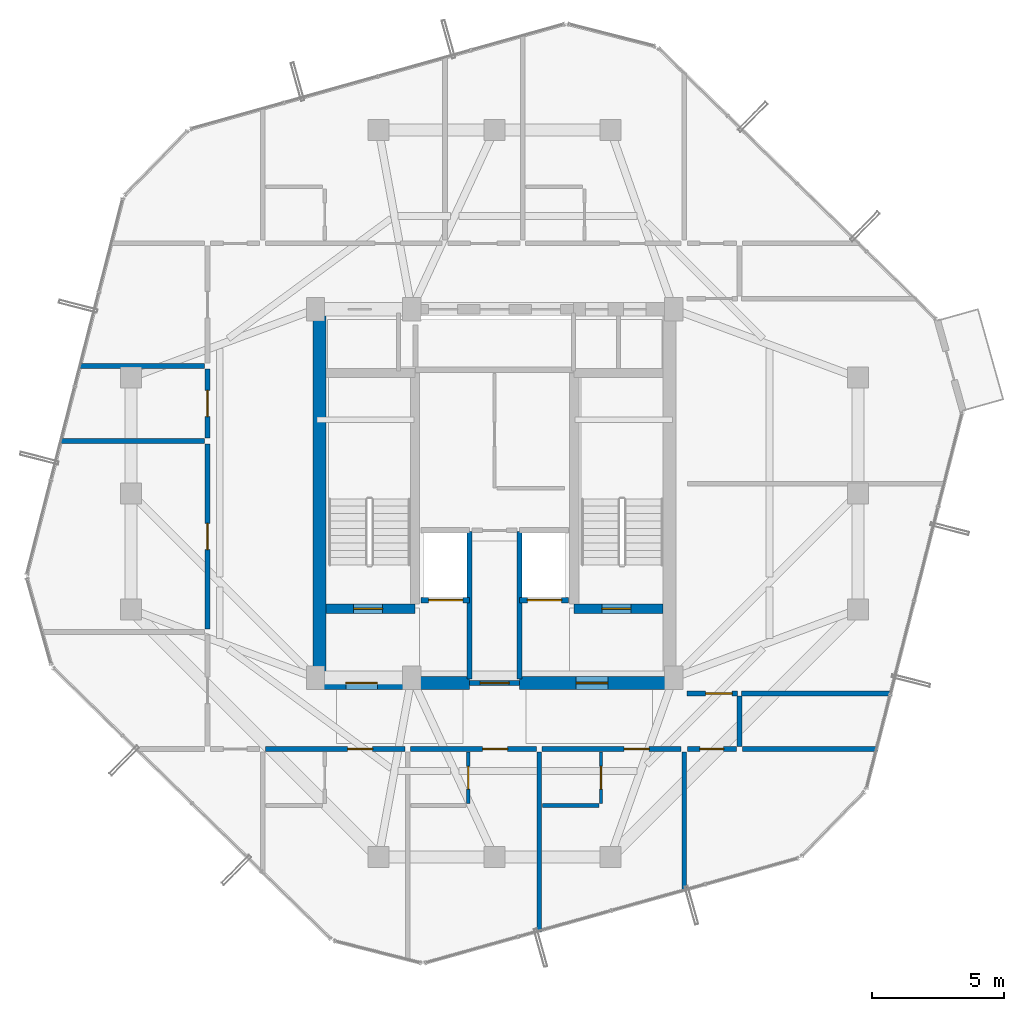
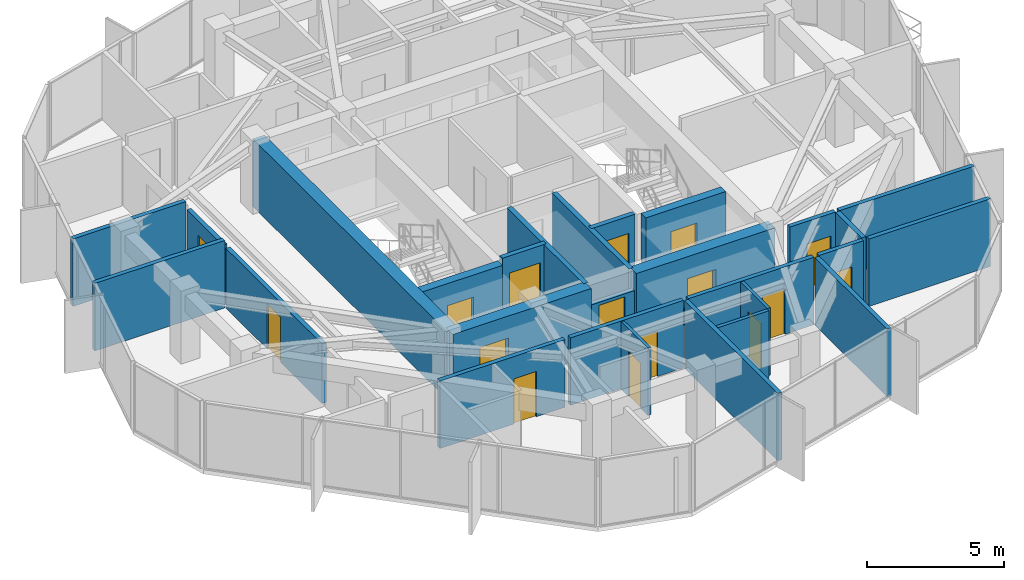
# One storey, part 25 of 29: 27 walls, 16 doors, 16 openings.
"""IFC4 building model written with IfcOpenShell, lengths in metres."""

import ifcopenshell
import ifcopenshell.guid

model = None  # the IFC model being written
_history = None  # IfcOwnerHistory: only IFC2X3 demands one
_inside = {}  # id of a spatial element -> (the spatial element, [elements in it])
_under = {}  # id of a project, library or spatial element -> (it, [spatial elements below it])
_declared = {}  # id of a project -> (the project, [libraries it declares])
_typed = {}  # id of a type object -> (the type object, [elements of that type])
_made_of = {}  # id of a material, layer set ... -> (it, [elements and type objects made of it])


def new_model(schema):
    """Start an empty IFC model of exactly this schema.

    Asked for "IFC4X3", IfcOpenShell would pick the latest addendum, in which some entities
    have other attributes; the version numbers below select the first issue.
    IFC2X3 requires an IfcOwnerHistory on every rooted entity: one is made here for all.
    """
    global model, _history
    if schema == "IFC4X3":
        model = ifcopenshell.file(schema_version=(4, 3, 0, 0))
    else:
        model = ifcopenshell.file(schema=schema)
    _inside.clear()
    _under.clear()
    _declared.clear()
    _typed.clear()
    _made_of.clear()
    _history = None
    if model.schema == "IFC2X3":
        org = make("IfcOrganization", Name="unknown")
        user = make(
            "IfcPersonAndOrganization",
            ThePerson=make("IfcPerson", FamilyName="unknown"),
            TheOrganization=org,
        )
        app = make(
            "IfcApplication",
            ApplicationDeveloper=org,
            Version="unknown",
            ApplicationFullName="unknown",
            ApplicationIdentifier="unknown",
        )
        _history = make(
            "IfcOwnerHistory",
            OwningUser=user,
            OwningApplication=app,
            ChangeAction="ADDED",
            CreationDate=0,
        )
    return model


def make(cls, **values):
    """One entity of the class cls with the attributes given. An attribute that is None is left unset."""
    return model.create_entity(
        cls, **{name: value for name, value in values.items() if value is not None}
    )


def rooted(cls, **values):
    """An entity with a GlobalId (a new one), such as an element, a storey or a relation."""
    return make(cls, GlobalId=ifcopenshell.guid.new(), OwnerHistory=_history, **values)


def si_unit(unit_type, name, prefix=None):
    """IfcSIUnit, for example si_unit("LENGTHUNIT", "METRE", prefix="MILLI")."""
    return make("IfcSIUnit", UnitType=unit_type, Prefix=prefix, Name=name)


def assignment(units):
    """IfcUnitAssignment: the units of a project."""
    return None if units is None else make("IfcUnitAssignment", Units=units)


def point(xyz):
    """IfcCartesianPoint."""
    return None if xyz is None else make("IfcCartesianPoint", Coordinates=xyz)


def direction(xyz):
    """IfcDirection."""
    return None if xyz is None else make("IfcDirection", DirectionRatios=xyz)


def frame(location, z_axis=None, x_axis=None):
    """IfcAxis2Placement3D, a coordinate frame: its origin and axes. An axis left out is left unset."""
    return make(
        "IfcAxis2Placement3D",
        Location=point(location),
        Axis=direction(z_axis),
        RefDirection=direction(x_axis),
    )


def frame_2d(location, x_axis=None):
    """IfcAxis2Placement2D, a coordinate frame in the plane: its origin and x axis."""
    return make(
        "IfcAxis2Placement2D", Location=point(location), RefDirection=direction(x_axis)
    )


def origin():
    """The frame at (0, 0, 0) with its axes left unset."""
    return frame((0.0, 0.0, 0.0))


def place(relative_to, where):
    """IfcLocalPlacement: puts the frame where relative to a parent placement (None: the world)."""
    return make(
        "IfcLocalPlacement", PlacementRelTo=relative_to, RelativePlacement=where
    )


def context(
    kind, dimensions, precision=None, world=None, true_north=None, identifier=None
):
    """IfcGeometricRepresentationContext, for example the 3D "Model" context."""
    return make(
        "IfcGeometricRepresentationContext",
        ContextIdentifier=identifier,
        ContextType=kind,
        CoordinateSpaceDimension=dimensions,
        Precision=precision,
        WorldCoordinateSystem=world,
        TrueNorth=true_north,
    )


def subcontext(parent, identifier, kind, view, scale=None):
    """IfcGeometricRepresentationSubContext, for example "Body" below "Model"."""
    return make(
        "IfcGeometricRepresentationSubContext",
        ContextIdentifier=identifier,
        ContextType=kind,
        ParentContext=parent,
        TargetScale=scale,
        TargetView=view,
    )


def project(units=None, contexts=None):
    """IfcProject with its units and contexts."""
    return rooted(
        "IfcProject",
        Name="project",
        RepresentationContexts=contexts,
        UnitsInContext=assignment(units),
    )


def spatial(cls, under=None, at=None, **own):
    """A site, building, storey or space (cls), placed at a placement, below another one or the project."""
    s = rooted(cls, ObjectPlacement=at, **own)
    if under is not None:
        _under.setdefault(under.id(), (under, []))[1].append(s)
    return s


def profile(cls, at=None, kind="AREA", **sizes):
    """A parametric profile (cls). Its sizes go by their IFC names, for example OverallWidth=200.0."""
    return make(cls, ProfileType=kind, Position=at, **sizes)


def rectangle(**sizes):
    """IfcRectangleProfileDef."""
    return profile("IfcRectangleProfileDef", **sizes)


def extrude(swept, where, along, depth):
    """IfcExtrudedAreaSolid: the profile swept, set in the frame where, extruded along a direction by depth."""
    return make(
        "IfcExtrudedAreaSolid",
        SweptArea=swept,
        Position=where,
        ExtrudedDirection=direction(along),
        Depth=depth,
    )


def shape(context_of_items, identifier, shape_type, items):
    """IfcShapeRepresentation: the items that make up one representation, for example the "Body"."""
    return make(
        "IfcShapeRepresentation",
        ContextOfItems=context_of_items,
        RepresentationIdentifier=identifier,
        RepresentationType=shape_type,
        Items=items,
    )


def source(mapping_origin, context_of_items, identifier, shape_type, items):
    """IfcRepresentationMap: a shape defined once, which mapped items show again and again."""
    return make(
        "IfcRepresentationMap",
        MappingOrigin=mapping_origin,
        MappedRepresentation=shape(context_of_items, identifier, shape_type, items),
    )


def transform(
    local_origin,
    x_axis=None,
    y_axis=None,
    z_axis=None,
    scale=None,
    scale2=None,
    scale3=None,
    uniform=True,
):
    """IfcCartesianTransformationOperator3D, or its non-uniform kind. x_axis, y_axis, z_axis: its Axis1, 2, 3."""
    if uniform:
        return make(
            "IfcCartesianTransformationOperator3D",
            Axis1=direction(x_axis),
            Axis2=direction(y_axis),
            LocalOrigin=point(local_origin),
            Scale=scale,
            Axis3=direction(z_axis),
        )
    return make(
        "IfcCartesianTransformationOperator3DnonUniform",
        Axis1=direction(x_axis),
        Axis2=direction(y_axis),
        LocalOrigin=point(local_origin),
        Scale=scale,
        Axis3=direction(z_axis),
        Scale2=scale2,
        Scale3=scale3,
    )


def mapped(mapping_source, mapping_target):
    """IfcMappedItem: shows the shape of a source again, moved by a transform."""
    return make(
        "IfcMappedItem", MappingSource=mapping_source, MappingTarget=mapping_target
    )


def material(Name=None, Category=None):
    """IfcMaterial."""
    return make("IfcMaterial", Name=Name, Category=Category)


def layer(
    of_material, thickness, ventilated=None, Name=None, Category=None, Priority=None
):
    """IfcMaterialLayer: one layer of a wall or slab, of a material (None: an air gap)."""
    return make(
        "IfcMaterialLayer",
        Material=of_material,
        LayerThickness=thickness,
        IsVentilated=ventilated,
        Name=Name,
        Category=Category,
        Priority=Priority,
    )


def layer_set(layers, Name=None):
    """IfcMaterialLayerSet."""
    return make("IfcMaterialLayerSet", MaterialLayers=layers, LayerSetName=Name)


def made_of(thing, what):
    """Note that an element or type object is made of a material, layer set ...; save() writes the relation."""
    if what is not None:
        _made_of.setdefault(what.id(), (what, []))[1].append(thing)
    return thing


def type_object(cls, material=None, **own):
    """A type object (cls), such as IfcWallType, which elements share."""
    return made_of(rooted(cls, **own), material)


def element(
    cls,
    number,
    at=None,
    inside=None,
    cuts=None,
    type_object=None,
    material=None,
    context=None,
    identifier="Body",
    shape_type=None,
    held_by="IfcProductDefinitionShape",
    body=None,
    shapes=None,
    **own,
):
    """One element of the class cls, such as IfcWall. Its Tag is "e" and its number.

    at: its placement. inside: the storey or other place that contains it. cuts: it is an
    opening in that element (IfcRelVoidsElement). A single representation is given by context,
    identifier, shape_type and body (its items); several are given by shapes. held_by: the class
    of the entity that holds the representations. save() writes the other relations.
    """
    e = rooted(cls, Tag="e%d" % number, ObjectPlacement=at, **own)
    if body is not None:
        shapes = [shape(context, identifier, shape_type, body)]
    if shapes is not None:
        e.Representation = make(held_by, Representations=shapes)
    if inside is not None:
        _inside.setdefault(inside.id(), (inside, []))[1].append(e)
    if cuts is not None:
        rooted(
            "IfcRelVoidsElement", RelatingBuildingElement=cuts, RelatedOpeningElement=e
        )
    if type_object is not None:
        _typed.setdefault(type_object.id(), (type_object, []))[1].append(e)
    return made_of(e, material)


def fill(opening, filler):
    """IfcRelFillsElement: the door or window that sits in an opening."""
    return rooted(
        "IfcRelFillsElement",
        RelatingOpeningElement=opening,
        RelatedBuildingElement=filler,
    )


def aggregate(whole, parts):
    """IfcRelAggregates: a whole, such as a stair, and the parts it consists of."""
    return rooted("IfcRelAggregates", RelatingObject=whole, RelatedObjects=parts)


def save(model, path):
    """Write the relations noted so far, then the file.

    IfcRelAggregates (storeys below a building ...), IfcRelContainedInSpatialStructure (elements
    in a storey), IfcRelDefinesByType, IfcRelAssociatesMaterial and IfcRelDeclares: one each for
    every whole, place, type object, material and project.
    """
    for whole, parts in _under.values():
        aggregate(whole, parts)
    for where, things in _inside.values():
        rooted(
            "IfcRelContainedInSpatialStructure",
            RelatedElements=things,
            RelatingStructure=where,
        )
    for kind, things in _typed.values():
        rooted("IfcRelDefinesByType", RelatedObjects=things, RelatingType=kind)
    for what, things in _made_of.values():
        rooted("IfcRelAssociatesMaterial", RelatedObjects=things, RelatingMaterial=what)
    for by, libraries in _declared.values():
        rooted("IfcRelDeclares", RelatingContext=by, RelatedDefinitions=libraries)
    model.write(path)


model = new_model("IFC4")

# Units and contexts
model_context = context("Model", 3, precision=1e-05, world=origin(), true_north=direction((0.0, 1.0)))
body_context = subcontext(model_context, "Body", "Model", "MODEL_VIEW")
ifc_project = project(units=[si_unit("LENGTHUNIT", "METRE"), si_unit("AREAUNIT", "SQUARE_METRE"), si_unit("VOLUMEUNIT", "CUBIC_METRE"), si_unit("PLANEANGLEUNIT", "RADIAN"), si_unit("MASSUNIT", "GRAM", prefix="KILO")], contexts=[model_context])

# Site, building, storey
site_placement = place(None, origin())
site = spatial("IfcSite", under=ifc_project, at=site_placement, CompositionType="ELEMENT")
building_placement = place(site_placement, origin())
building = spatial("IfcBuilding", under=site, at=building_placement, Name="Veraguas Prism Commons", CompositionType="ELEMENT")
storey_placement = place(building_placement, frame((0.0, 0.0, 257.75)))
storey = spatial("IfcBuildingStorey", under=building, at=storey_placement, Name="L73", CompositionType="ELEMENT", Elevation=257.75)

# Wall, opening, door
ifc_material_1 = material(Name="Concrete C50/60", Category="concrete")
ifc_layer_1 = layer(ifc_material_1, 0.35009765625, Name="Core Internal Shear Wall Upper RC 350", Category="concrete")
ifc_layer_set_1 = layer_set([ifc_layer_1], Name="Concrete C50/60")
wall_type_1 = type_object("IfcWallType", Name="Core Internal Shear Wall Upper RC 350", PredefinedType="SHEAR", material=ifc_layer_set_1)
wall_1_placement = place(storey_placement, frame((17.60009765625, 19.625, 0.0), z_axis=(0.0, 0.0, 1.0), x_axis=(1.0, 0.0, 0.0)))
wall_1 = element("IfcWall", 1, at=wall_1_placement, inside=storey, type_object=wall_type_1, Name="Stair ST-01 South Shear Wall L73", PredefinedType="SHEAR", context=body_context, shape_type="SweptSolid", body=[
    extrude(rectangle(XDim=3.375, YDim=0.35009765625, at=frame_2d((1.6875, 0.0))), origin(), (0.0, 0.0, 1.0), 3.014892578125),
])
opening_1_placement = place(wall_1_placement, frame((1.050048828125, 0.0, 0.0)))
opening_1 = element("IfcOpeningElement", 2, at=opening_1_placement, cuts=wall_1, Name="Opening DR-05", PredefinedType="OPENING", context=body_context, shape_type="SweptSolid", body=[
    extrude(rectangle(XDim=1.10009765625, YDim=2.030029296875, at=frame_2d((0.550048828125, 1.01513671875))), frame((0.0, 0.18505859375, 0.0), z_axis=(0.0, -1.0, 0.0), x_axis=(1.0, 0.0, 0.0)), (0.0, 0.0, 1.0), 0.3701171875),
])
ifc_material_2 = material(Name="Steel fire-rated door assembly", Category="steel")
door_type_1 = type_object("IfcDoorType", Name="Protected Stair and Refuge Fire Door 1100x2030", OperationType="NOTDEFINED", PredefinedType="DOOR", material=ifc_material_2)
shared_shape_1 = source(origin(), body_context, "Body", "SweptSolid", [
    extrude(rectangle(XDim=1.10009765625, YDim=2.030029296875, at=frame_2d((0.550048828125, 1.01513671875))), frame((0.0, 0.02490234375, 0.0), z_axis=(0.0, -1.0, 0.0), x_axis=(1.0, 0.0, 0.0)), (0.0, 0.0, 1.0), 0.050048828125),
])
door_1_placement = place(opening_1_placement, origin())
door_1 = element("IfcDoor", 3, at=door_1_placement, inside=storey, type_object=door_type_1, Name="Stair ST-01 Enclosure Door L73", OperationType="SINGLE_SWING_RIGHT", OverallHeight=2.030029296875, OverallWidth=1.10009765625, PredefinedType="DOOR", context=body_context, shape_type="MappedRepresentation", body=[
    mapped(shared_shape_1, transform((0.0, 0.0, 0.0), scale=1.0)),
])
fill(opening_1, door_1)

wall_2_placement = place(storey_placement, frame((27.02490234375, 19.625, 0.0), z_axis=(0.0, 0.0, 1.0), x_axis=(1.0, 0.0, 0.0)))
wall_2 = element("IfcWall", 4, at=wall_2_placement, inside=storey, type_object=wall_type_1, Name="Stair ST-02 South Shear Wall L73", PredefinedType="SHEAR", context=body_context, shape_type="SweptSolid", body=[
    extrude(rectangle(XDim=3.375, YDim=0.35009765625, at=frame_2d((1.6875, 0.0))), origin(), (0.0, 0.0, 1.0), 3.014892578125),
])
opening_2_placement = place(wall_2_placement, frame((1.050048828125, 0.0, 0.0)))
opening_2 = element("IfcOpeningElement", 5, at=opening_2_placement, cuts=wall_2, Name="Opening DR-05", PredefinedType="OPENING", context=body_context, shape_type="SweptSolid", body=[
    extrude(rectangle(XDim=1.10009765625, YDim=2.030029296875, at=frame_2d((0.550048828125, 1.01513671875))), frame((0.0, 0.18505859375, 0.0), z_axis=(0.0, -1.0, 0.0), x_axis=(1.0, 0.0, 0.0)), (0.0, 0.0, 1.0), 0.3701171875),
])
door_2_placement = place(opening_2_placement, origin())
door_2 = element("IfcDoor", 6, at=door_2_placement, inside=storey, type_object=door_type_1, Name="Stair ST-02 Enclosure Door L73", OperationType="SINGLE_SWING_LEFT", OverallHeight=2.030029296875, OverallWidth=1.10009765625, PredefinedType="DOOR", context=body_context, shape_type="MappedRepresentation", body=[
    mapped(shared_shape_1, transform((0.0, 0.0, 0.0), scale=1.0)),
])
fill(opening_2, door_2)

# Wall
ifc_layer_2 = layer(ifc_material_1, 0.5, Name="Core Outer Shear Wall Upper RC 500", Category="concrete")
ifc_layer_set_2 = layer_set([ifc_layer_2], Name="Concrete C50/60")
wall_type_2 = type_object("IfcWallType", Name="Core Outer Shear Wall Upper RC 500", PredefinedType="SHEAR", material=ifc_layer_set_2)
wall_3_placement = place(storey_placement, frame((17.35009765625, 16.800048828125, 0.0), z_axis=(0.0, 0.0, 1.0), x_axis=(0.0, 1.0, 0.0)))
element("IfcWall", 7, at=wall_3_placement, inside=storey, type_object=wall_type_2, Name="Central Core West Shear Wall L73", PredefinedType="SHEAR", context=body_context, shape_type="SweptSolid", body=[
    extrude(rectangle(XDim=14.199951171875, YDim=0.5, at=frame_2d((7.10009765625, 0.0))), origin(), (0.0, 0.0, 1.0), 3.014892578125),
])

# Wall, opening, door
wall_4_placement = place(storey_placement, frame((17.199951171875, 16.800048828125, 0.0), z_axis=(0.0, 0.0, 1.0), x_axis=(1.0, 0.0, 0.0)))
wall_4 = element("IfcWall", 8, at=wall_4_placement, inside=storey, type_object=wall_type_2, Name="Central Core South-West Shear Wall L73", PredefinedType="SHEAR", context=body_context, shape_type="SweptSolid", body=[
    extrude(rectangle(XDim=5.85009765625, YDim=0.5, at=frame_2d((2.925048828125, 0.0))), origin(), (0.0, 0.0, 1.0), 3.014892578125),
])
opening_3_placement = place(wall_4_placement, frame((1.14990234375, 0.0, 0.0)))
opening_3 = element("IfcOpeningElement", 9, at=opening_3_placement, cuts=wall_4, Name="Opening DR-06", PredefinedType="OPENING", context=body_context, shape_type="SweptSolid", body=[
    extrude(rectangle(XDim=1.199951171875, YDim=2.030029296875, at=frame_2d((0.60009765625, 1.01513671875))), frame((0.0, 0.260009765625, 0.0), z_axis=(0.0, -1.0, 0.0), x_axis=(1.0, 0.0, 0.0)), (0.0, 0.0, 1.0), 0.52001953125),
])
door_type_2 = type_object("IfcDoorType", Name="Firefighting Lobby Smoke Door 1200x2030", OperationType="NOTDEFINED", PredefinedType="DOOR", material=ifc_material_2)
shared_shape_2 = source(origin(), body_context, "Body", "SweptSolid", [
    extrude(rectangle(XDim=1.199951171875, YDim=2.030029296875, at=frame_2d((0.60009765625, 1.01513671875))), frame((0.0, 0.02490234375, 0.0), z_axis=(0.0, -1.0, 0.0), x_axis=(1.0, 0.0, 0.0)), (0.0, 0.0, 1.0), 0.050048828125),
])
door_3_placement = place(opening_3_placement, origin())
door_3 = element("IfcDoor", 10, at=door_3_placement, inside=storey, type_object=door_type_2, Name="West FF Lobby Door L73", OperationType="SINGLE_SWING_RIGHT", OverallHeight=2.030029296875, OverallWidth=1.199951171875, PredefinedType="DOOR", context=body_context, shape_type="MappedRepresentation", body=[
    mapped(shared_shape_2, transform((0.0, 0.0, 0.0), scale=1.0)),
])
fill(opening_3, door_3)

wall_5_placement = place(storey_placement, frame((24.949951171875, 16.800048828125, 0.0), z_axis=(0.0, 0.0, 1.0), x_axis=(1.0, 0.0, 0.0)))
wall_5 = element("IfcWall", 11, at=wall_5_placement, inside=storey, type_object=wall_type_2, Name="Central Core South-East Shear Wall L73", PredefinedType="SHEAR", context=body_context, shape_type="SweptSolid", body=[
    extrude(rectangle(XDim=5.85009765625, YDim=0.5, at=frame_2d((2.925048828125, 0.0))), origin(), (0.0, 0.0, 1.0), 3.014892578125),
])
opening_4_placement = place(wall_5_placement, frame((2.14990234375, 0.0, 0.0)))
opening_4 = element("IfcOpeningElement", 12, at=opening_4_placement, cuts=wall_5, Name="Opening DR-06", PredefinedType="OPENING", context=body_context, shape_type="SweptSolid", body=[
    extrude(rectangle(XDim=1.199951171875, YDim=2.030029296875, at=frame_2d((0.60009765625, 1.01513671875))), frame((0.0, 0.260009765625, 0.0), z_axis=(0.0, -1.0, 0.0), x_axis=(1.0, 0.0, 0.0)), (0.0, 0.0, 1.0), 0.52001953125),
])
door_4_placement = place(opening_4_placement, origin())
door_4 = element("IfcDoor", 13, at=door_4_placement, inside=storey, type_object=door_type_2, Name="East FF Lobby Door L73", OperationType="SINGLE_SWING_RIGHT", OverallHeight=2.030029296875, OverallWidth=1.199951171875, PredefinedType="DOOR", context=body_context, shape_type="MappedRepresentation", body=[
    mapped(shared_shape_2, transform((0.0, 0.0, 0.0), scale=1.0)),
])
fill(opening_4, door_4)

# Wall
ifc_material_3 = material(Name="Autoclaved aerated masonry block 10 MPa", Category="masonry")
ifc_layer_3 = layer(ifc_material_3, 0.179931640625, Name="Corridor and Inter-Tenancy Partition 180", Category="masonry")
ifc_layer_set_3 = layer_set([ifc_layer_3], Name="Autoclaved aerated masonry block 10 MPa")
wall_type_3 = type_object("IfcWallType", Name="Corridor and Inter-Tenancy Partition 180", PredefinedType="PARTITIONING", material=ifc_layer_set_3)
wall_6_placement = place(storey_placement, frame((31.199951171875, 14.179931640625, 0.0), z_axis=(0.0, 0.0, 1.0), x_axis=(0.0, -1.0, 0.0)))
element("IfcWall", 14, at=wall_6_placement, inside=storey, type_object=wall_type_3, Name="WL-L73-PT002", PredefinedType="PARTITIONING", context=body_context, shape_type="SweptSolid", body=[
    extrude(rectangle(XDim=5.280517578125, YDim=0.179931640625, at=frame_2d((2.64013671875, 0.0))), origin(), (0.0, 0.0, 1.0), 3.014892578125),
])

# Wall, opening, door
wall_7_placement = place(storey_placement, frame((15.31005859375, 14.300048828125, 0.0), z_axis=(0.0, 0.0, 1.0), x_axis=(1.0, 0.0, 0.0)))
wall_7 = element("IfcWall", 15, at=wall_7_placement, inside=storey, type_object=wall_type_3, Name="WL-L73-PT003", PredefinedType="PARTITIONING", context=body_context, shape_type="SweptSolid", body=[
    extrude(rectangle(XDim=5.284912109375, YDim=0.179931640625, at=frame_2d((2.642578125, 0.0))), origin(), (0.0, 0.0, 1.0), 3.014892578125),
])
opening_5_placement = place(wall_7_placement, frame((3.11181640625, 0.0, 0.0)))
opening_5 = element("IfcOpeningElement", 16, at=opening_5_placement, cuts=wall_7, Name="Opening DR-01", PredefinedType="OPENING", context=body_context, shape_type="SweptSolid", body=[
    extrude(rectangle(XDim=0.949951171875, YDim=2.02001953125, at=frame_2d((0.47509765625, 1.010009765625))), frame((0.0, 0.099853515625, 0.0), z_axis=(0.0, -1.0, 0.0), x_axis=(1.0, 0.0, 0.0)), (0.0, 0.0, 1.0), 0.199951171875),
])
ifc_material_4 = material(Name="Anodised aluminium EN AW-6063 T6", Category="aluminium")
door_type_3 = type_object("IfcDoorType", Name="Apartment Entrance Fire Door 950x2020", OperationType="NOTDEFINED", PredefinedType="DOOR", material=ifc_material_4)
shared_shape_3 = source(origin(), body_context, "Body", "SweptSolid", [
    extrude(rectangle(XDim=0.949951171875, YDim=2.02001953125, at=frame_2d((0.47509765625, 1.010009765625))), frame((0.0, 0.02490234375, 0.0), z_axis=(0.0, -1.0, 0.0), x_axis=(1.0, 0.0, 0.0)), (0.0, 0.0, 1.0), 0.050048828125),
])
door_5_placement = place(opening_5_placement, origin())
door_5 = element("IfcDoor", 17, at=door_5_placement, inside=storey, type_object=door_type_3, Name="Studio 73A Entrance Door", OperationType="SINGLE_SWING_RIGHT", OverallHeight=2.02001953125, OverallWidth=0.949951171875, PredefinedType="DOOR", context=body_context, shape_type="MappedRepresentation", body=[
    mapped(shared_shape_3, transform((0.0, 0.0, 0.0), scale=1.0)),
])
fill(opening_5, door_5)

wall_8_placement = place(storey_placement, frame((20.81494140625, 14.300048828125, 0.0), z_axis=(0.0, 0.0, 1.0), x_axis=(1.0, 0.0, 0.0)))
wall_8 = element("IfcWall", 18, at=wall_8_placement, inside=storey, type_object=wall_type_3, Name="WL-L73-PT007", PredefinedType="PARTITIONING", context=body_context, shape_type="SweptSolid", body=[
    extrude(rectangle(XDim=4.77001953125, YDim=0.179931640625, at=frame_2d((2.385009765625, 0.0))), origin(), (0.0, 0.0, 1.0), 3.014892578125),
])
opening_6_placement = place(wall_8_placement, frame((2.730712890625, 0.0, 0.0)))
opening_6 = element("IfcOpeningElement", 19, at=opening_6_placement, cuts=wall_8, Name="Opening DR-01", PredefinedType="OPENING", context=body_context, shape_type="SweptSolid", body=[
    extrude(rectangle(XDim=0.949951171875, YDim=2.02001953125, at=frame_2d((0.47509765625, 1.010009765625))), frame((0.0, 0.099853515625, 0.0), z_axis=(0.0, -1.0, 0.0), x_axis=(1.0, 0.0, 0.0)), (0.0, 0.0, 1.0), 0.199951171875),
])
door_6_placement = place(opening_6_placement, origin())
door_6 = element("IfcDoor", 20, at=door_6_placement, inside=storey, type_object=door_type_3, Name="Studio 73B Entrance Door", OperationType="SINGLE_SWING_RIGHT", OverallHeight=2.02001953125, OverallWidth=0.949951171875, PredefinedType="DOOR", context=body_context, shape_type="MappedRepresentation", body=[
    mapped(shared_shape_3, transform((0.0, 0.0, 0.0), scale=1.0)),
])
fill(opening_6, door_6)

# Wall
wall_9_placement = place(storey_placement, frame((25.695068359375, 14.179931640625, 0.0), z_axis=(0.0, 0.0, 1.0), x_axis=(0.0, -1.0, 0.0)))
element("IfcWall", 21, at=wall_9_placement, inside=storey, type_object=wall_type_3, Name="WL-L73-PT010", PredefinedType="PARTITIONING", context=body_context, shape_type="SweptSolid", body=[
    extrude(rectangle(XDim=6.825927734375, YDim=0.179931640625, at=frame_2d((3.4130859375, 0.0))), origin(), (0.0, 0.0, 1.0), 3.014892578125),
])

# Wall, opening, door
wall_10_placement = place(storey_placement, frame((25.804931640625, 14.300048828125, 0.0), z_axis=(0.0, 0.0, 1.0), x_axis=(1.0, 0.0, 0.0)))
wall_10 = element("IfcWall", 22, at=wall_10_placement, inside=storey, type_object=wall_type_3, Name="WL-L73-PT011", PredefinedType="PARTITIONING", context=body_context, shape_type="SweptSolid", body=[
    extrude(rectangle(XDim=5.28515625, YDim=0.179931640625, at=frame_2d((2.642578125, 0.0))), origin(), (0.0, 0.0, 1.0), 3.014892578125),
])
opening_7_placement = place(wall_10_placement, frame((3.11181640625, 0.0, 0.0)))
opening_7 = element("IfcOpeningElement", 23, at=opening_7_placement, cuts=wall_10, Name="Opening DR-01", PredefinedType="OPENING", context=body_context, shape_type="SweptSolid", body=[
    extrude(rectangle(XDim=0.949951171875, YDim=2.02001953125, at=frame_2d((0.47509765625, 1.010009765625))), frame((0.0, 0.099853515625, 0.0), z_axis=(0.0, -1.0, 0.0), x_axis=(1.0, 0.0, 0.0)), (0.0, 0.0, 1.0), 0.199951171875),
])
door_7_placement = place(opening_7_placement, origin())
door_7 = element("IfcDoor", 24, at=door_7_placement, inside=storey, type_object=door_type_3, Name="Studio 73C Entrance Door", OperationType="SINGLE_SWING_RIGHT", OverallHeight=2.02001953125, OverallWidth=0.949951171875, PredefinedType="DOOR", context=body_context, shape_type="MappedRepresentation", body=[
    mapped(shared_shape_3, transform((0.0, 0.0, 0.0), scale=1.0)),
])
fill(opening_7, door_7)

wall_11_placement = place(storey_placement, frame((13.10009765625, 18.85400390625, 0.0), z_axis=(0.0, 0.0, 1.0), x_axis=(0.0, 1.0, 0.0)))
wall_11 = element("IfcWall", 25, at=wall_11_placement, inside=storey, type_object=wall_type_3, Name="WL-L73-PT028", PredefinedType="PARTITIONING", context=body_context, shape_type="SweptSolid", body=[
    extrude(rectangle(XDim=7.030029296875, YDim=0.179931640625, at=frame_2d((3.51513671875, 0.0))), origin(), (0.0, 0.0, 1.0), 2.662109375),
])
opening_8_placement = place(wall_11_placement, frame((3.014892578125, 0.0, 0.0)))
opening_8 = element("IfcOpeningElement", 26, at=opening_8_placement, cuts=wall_11, Name="Opening DR-13", PredefinedType="OPENING", context=body_context, shape_type="SweptSolid", body=[
    extrude(rectangle(XDim=1.0, YDim=2.010009765625, at=frame_2d((0.5, 1.0048828125))), frame((0.0, 0.099853515625, 0.0), z_axis=(0.0, -1.0, 0.0), x_axis=(1.0, 0.0, 0.0)), (0.0, 0.0, 1.0), 0.199951171875),
])
door_type_4 = type_object("IfcDoorType", Name="Core Accessible WC and Clinic Fire Door 1000x2010", OperationType="NOTDEFINED", PredefinedType="DOOR", material=ifc_material_2)
shared_shape_4 = source(origin(), body_context, "Body", "SweptSolid", [
    extrude(rectangle(XDim=1.0, YDim=2.010009765625, at=frame_2d((0.5, 1.0048828125))), frame((0.0, 0.02490234375, 0.0), z_axis=(0.0, -1.0, 0.0), x_axis=(1.0, 0.0, 0.0)), (0.0, 0.0, 1.0), 0.050048828125),
])
door_8_placement = place(opening_8_placement, origin())
door_8 = element("IfcDoor", 27, at=door_8_placement, inside=storey, type_object=door_type_4, Name="Co-op Store W Door", OperationType="SINGLE_SWING_RIGHT", OverallHeight=2.010009765625, OverallWidth=1.0, PredefinedType="DOOR", context=body_context, shape_type="MappedRepresentation", body=[
    mapped(shared_shape_4, transform((0.0, 0.0, 0.0), scale=1.0)),
])
fill(opening_8, door_8)

# Wall
wall_12_placement = place(storey_placement, frame((12.97998046875, 25.993896484375, 0.0), z_axis=(0.0, 0.0, 1.0), x_axis=(-1.0, 0.0, 0.0)))
element("IfcWall", 28, at=wall_12_placement, inside=storey, type_object=wall_type_3, Name="WL-L73-PT030", PredefinedType="PARTITIONING", context=body_context, shape_type="SweptSolid", body=[
    extrude(rectangle(XDim=5.484130859375, YDim=0.179931640625, at=frame_2d((2.7421875, 0.0))), origin(), (0.0, 0.0, 1.0), 3.014892578125),
])

# Wall, opening, door
wall_13_placement = place(storey_placement, frame((13.10009765625, 26.10400390625, 0.0), z_axis=(0.0, 0.0, 1.0), x_axis=(0.0, 1.0, 0.0)))
wall_13 = element("IfcWall", 29, at=wall_13_placement, inside=storey, type_object=wall_type_3, Name="WL-L73-PT031", PredefinedType="PARTITIONING", context=body_context, shape_type="SweptSolid", body=[
    extrude(rectangle(XDim=2.632080078125, YDim=0.179931640625, at=frame_2d((1.31591796875, 0.0))), origin(), (0.0, 0.0, 1.0), 2.662109375),
])
opening_9_placement = place(wall_13_placement, frame((0.81591796875, 0.0, 0.0)))
opening_9 = element("IfcOpeningElement", 30, at=opening_9_placement, cuts=wall_13, Name="Opening DR-13", PredefinedType="OPENING", context=body_context, shape_type="SweptSolid", body=[
    extrude(rectangle(XDim=1.0, YDim=2.010009765625, at=frame_2d((0.5, 1.0048828125))), frame((0.0, 0.099853515625, 0.0), z_axis=(0.0, -1.0, 0.0), x_axis=(1.0, 0.0, 0.0)), (0.0, 0.0, 1.0), 0.199951171875),
])
door_9_placement = place(opening_9_placement, origin())
door_9 = element("IfcDoor", 31, at=door_9_placement, inside=storey, type_object=door_type_4, Name="Youth Homework Study Room Door", OperationType="SINGLE_SWING_LEFT", OverallHeight=2.010009765625, OverallWidth=1.0, PredefinedType="DOOR", context=body_context, shape_type="MappedRepresentation", body=[
    mapped(shared_shape_4, transform((0.0, 0.0, 0.0), scale=1.0)),
])
fill(opening_9, door_9)

# Walls
wall_14_placement = place(storey_placement, frame((12.97998046875, 28.845947265625, 0.0), z_axis=(0.0, 0.0, 1.0), x_axis=(-1.0, 0.0, 0.0)))
element("IfcWall", 32, at=wall_14_placement, inside=storey, type_object=wall_type_3, Name="WL-L73-PT033", PredefinedType="PARTITIONING", context=body_context, shape_type="SweptSolid", body=[
    extrude(rectangle(XDim=4.756103515625, YDim=0.179931640625, at=frame_2d((2.3779296875, 0.0))), origin(), (0.0, 0.0, 1.0), 3.014892578125),
])
wall_15_placement = place(storey_placement, frame((33.300048828125, 14.39990234375, 0.0), z_axis=(0.0, 0.0, 1.0), x_axis=(0.0, 1.0, 0.0)))
element("IfcWall", 33, at=wall_15_placement, inside=storey, type_object=wall_type_3, Name="WL-L73-PT035", PredefinedType="PARTITIONING", context=body_context, shape_type="SweptSolid", body=[
    extrude(rectangle(XDim=1.900146484375, YDim=0.179931640625, at=frame_2d((0.9501953125, 0.0))), origin(), (0.0, 0.0, 1.0), 3.014892578125),
])

# Wall, opening, door
wall_16_placement = place(storey_placement, frame((31.300048828125, 16.39990234375, 0.0), z_axis=(0.0, 0.0, 1.0), x_axis=(1.0, 0.0, 0.0)))
wall_16 = element("IfcWall", 34, at=wall_16_placement, inside=storey, type_object=wall_type_3, Name="WL-L73-PT037", PredefinedType="PARTITIONING", context=body_context, shape_type="SweptSolid", body=[
    extrude(rectangle(XDim=1.919921875, YDim=0.179931640625, at=frame_2d((0.9599609375, 0.0))), origin(), (0.0, 0.0, 1.0), 3.014892578125),
])
opening_10_placement = place(wall_16_placement, frame((0.719970703125, 0.0, 0.0)))
opening_10 = element("IfcOpeningElement", 35, at=opening_10_placement, cuts=wall_16, Name="Opening DR-13", PredefinedType="OPENING", context=body_context, shape_type="SweptSolid", body=[
    extrude(rectangle(XDim=1.0, YDim=2.010009765625, at=frame_2d((0.5, 1.0048828125))), frame((0.0, 0.099853515625, 0.0), z_axis=(0.0, -1.0, 0.0), x_axis=(1.0, 0.0, 0.0)), (0.0, 0.0, 1.0), 0.199951171875),
])
door_10_placement = place(opening_10_placement, origin())
door_10 = element("IfcDoor", 36, at=door_10_placement, inside=storey, type_object=door_type_4, Name="Panorama Lounge Door L73", OperationType="SINGLE_SWING_LEFT", OverallHeight=2.010009765625, OverallWidth=1.0, PredefinedType="DOOR", context=body_context, shape_type="MappedRepresentation", body=[
    mapped(shared_shape_4, transform((0.0, 0.0, 0.0), scale=1.0)),
])
fill(opening_10, door_10)

# Walls
wall_17_placement = place(storey_placement, frame((33.3798828125, 16.39990234375, 0.0), z_axis=(0.0, 0.0, 1.0), x_axis=(1.0, 0.0, 0.0)))
element("IfcWall", 37, at=wall_17_placement, inside=storey, type_object=wall_type_3, Name="WL-L73-PT038", PredefinedType="PARTITIONING", context=body_context, shape_type="SweptSolid", body=[
    extrude(rectangle(XDim=5.693115234375, YDim=0.179931640625, at=frame_2d((2.8466796875, 0.0))), origin(), (0.0, 0.0, 1.0), 3.014892578125),
])
wall_18_placement = place(storey_placement, frame((33.419921875, 14.300048828125, 0.0), z_axis=(0.0, 0.0, 1.0), x_axis=(1.0, 0.0, 0.0)))
element("IfcWall", 38, at=wall_18_placement, inside=storey, type_object=wall_type_3, Name="WL-L73-PT042", PredefinedType="PARTITIONING", context=body_context, shape_type="SweptSolid", body=[
    extrude(rectangle(XDim=5.1171875, YDim=0.179931640625, at=frame_2d((2.55859375, 0.0))), origin(), (0.0, 0.0, 1.0), 3.014892578125),
])

# Wall, opening, door
wall_19_placement = place(storey_placement, frame((31.320068359375, 14.300048828125, 0.0), z_axis=(0.0, 0.0, 1.0), x_axis=(1.0, 0.0, 0.0)))
wall_19 = element("IfcWall", 39, at=wall_19_placement, inside=storey, type_object=wall_type_3, Name="WL-L73-PT043", PredefinedType="PARTITIONING", context=body_context, shape_type="SweptSolid", body=[
    extrude(rectangle(XDim=1.85986328125, YDim=0.179931640625, at=frame_2d((0.929931640625, 0.0))), origin(), (0.0, 0.0, 1.0), 3.014892578125),
])
opening_11_placement = place(wall_19_placement, frame((0.47998046875, 0.0, 0.0)))
opening_11 = element("IfcOpeningElement", 40, at=opening_11_placement, cuts=wall_19, Name="Opening DR-14", PredefinedType="OPENING", context=body_context, shape_type="SweptSolid", body=[
    extrude(rectangle(XDim=0.89990234375, YDim=2.010009765625, at=frame_2d((0.449951171875, 1.0048828125))), frame((0.0, 0.099853515625, 0.0), z_axis=(0.0, -1.0, 0.0), x_axis=(1.0, 0.0, 0.0)), (0.0, 0.0, 1.0), 0.199951171875),
])
door_type_5 = type_object("IfcDoorType", Name="Core Service Room Fire Door 900x2010", OperationType="NOTDEFINED", PredefinedType="DOOR", material=ifc_material_2)
shared_shape_5 = source(origin(), body_context, "Body", "SweptSolid", [
    extrude(rectangle(XDim=0.89990234375, YDim=2.010009765625, at=frame_2d((0.449951171875, 1.0048828125))), frame((0.0, 0.02490234375, 0.0), z_axis=(0.0, -1.0, 0.0), x_axis=(1.0, 0.0, 0.0)), (0.0, 0.0, 1.0), 0.050048828125),
])
door_11_placement = place(opening_11_placement, origin())
door_11 = element("IfcDoor", 41, at=door_11_placement, inside=storey, type_object=door_type_5, Name="Corner Study SE Door", OperationType="SINGLE_SWING_RIGHT", OverallHeight=2.010009765625, OverallWidth=0.89990234375, PredefinedType="DOOR", context=body_context, shape_type="MappedRepresentation", body=[
    mapped(shared_shape_5, transform((0.0, 0.0, 0.0), scale=1.0)),
])
fill(opening_11, door_11)

ifc_material_5 = material(Name="Lightweight acoustic gypsum board")
ifc_layer_4 = layer(ifc_material_5, 0.125, Name="Internal Apartment Room Partition 125")
ifc_layer_set_4 = layer_set([ifc_layer_4], Name="Lightweight acoustic gypsum board")
wall_type_4 = type_object("IfcWallType", Name="Internal Apartment Room Partition 125", PredefinedType="PARTITIONING", material=ifc_layer_set_4)
wall_20_placement = place(storey_placement, frame((23.0, 14.179931640625, 0.0), z_axis=(0.0, 0.0, 1.0), x_axis=(0.0, -1.0, 0.0)))
wall_20 = element("IfcWall", 42, at=wall_20_placement, inside=storey, type_object=wall_type_4, Name="WL-L73-PT008", PredefinedType="PARTITIONING", context=body_context, shape_type="SweptSolid", body=[
    extrude(rectangle(XDim=1.949951171875, YDim=0.125, at=frame_2d((0.97509765625, 0.0))), origin(), (0.0, 0.0, 1.0), 3.014892578125),
])
opening_12_placement = place(wall_20_placement, frame((0.544921875, 0.0, 0.0)))
opening_12 = element("IfcOpeningElement", 43, at=opening_12_placement, cuts=wall_20, Name="Opening DR-03", PredefinedType="OPENING", context=body_context, shape_type="SweptSolid", body=[
    extrude(rectangle(XDim=0.860107421875, YDim=2.010009765625, at=frame_2d((0.43017578125, 1.0048828125))), frame((0.0, 0.072509765625, 0.0), z_axis=(0.0, -1.0, 0.0), x_axis=(1.0, 0.0, 0.0)), (0.0, 0.0, 1.0), 0.14501953125),
])
ifc_material_6 = material(Name="Timber moisture-resistant leaf", Category="wood")
door_type_6 = type_object("IfcDoorType", Name="Internal Bathroom Door 860x2010", OperationType="NOTDEFINED", PredefinedType="DOOR", material=ifc_material_6)
shared_shape_6 = source(origin(), body_context, "Body", "SweptSolid", [
    extrude(rectangle(XDim=0.860107421875, YDim=2.010009765625, at=frame_2d((0.43017578125, 1.0048828125))), frame((0.0, 0.02490234375, 0.0), z_axis=(0.0, -1.0, 0.0), x_axis=(1.0, 0.0, 0.0)), (0.0, 0.0, 1.0), 0.050048828125),
])
door_12_placement = place(opening_12_placement, origin())
door_12 = element("IfcDoor", 44, at=door_12_placement, inside=storey, type_object=door_type_6, Name="Studio 73B Bathroom Door", OperationType="SINGLE_SWING_LEFT", OverallHeight=2.010009765625, OverallWidth=0.860107421875, PredefinedType="DOOR", context=body_context, shape_type="MappedRepresentation", body=[
    mapped(shared_shape_6, transform((0.0, 0.0, 0.0), scale=1.0)),
])
fill(opening_12, door_12)

wall_21_placement = place(storey_placement, frame((28.044921875, 14.179931640625, 0.0), z_axis=(0.0, 0.0, 1.0), x_axis=(0.0, -1.0, 0.0)))
wall_21 = element("IfcWall", 45, at=wall_21_placement, inside=storey, type_object=wall_type_4, Name="WL-L73-PT012", PredefinedType="PARTITIONING", context=body_context, shape_type="SweptSolid", body=[
    extrude(rectangle(XDim=1.949951171875, YDim=0.125, at=frame_2d((0.97509765625, 0.0))), origin(), (0.0, 0.0, 1.0), 3.014892578125),
])
opening_13_placement = place(wall_21_placement, frame((0.544921875, 0.0, 0.0)))
opening_13 = element("IfcOpeningElement", 46, at=opening_13_placement, cuts=wall_21, Name="Opening DR-03", PredefinedType="OPENING", context=body_context, shape_type="SweptSolid", body=[
    extrude(rectangle(XDim=0.860107421875, YDim=2.010009765625, at=frame_2d((0.43017578125, 1.0048828125))), frame((0.0, 0.072509765625, 0.0), z_axis=(0.0, -1.0, 0.0), x_axis=(1.0, 0.0, 0.0)), (0.0, 0.0, 1.0), 0.14501953125),
])
door_13_placement = place(opening_13_placement, origin())
door_13 = element("IfcDoor", 47, at=door_13_placement, inside=storey, type_object=door_type_6, Name="Studio 73C Bathroom Door", OperationType="SINGLE_SWING_LEFT", OverallHeight=2.010009765625, OverallWidth=0.860107421875, PredefinedType="DOOR", context=body_context, shape_type="MappedRepresentation", body=[
    mapped(shared_shape_6, transform((0.0, 0.0, 0.0), scale=1.0)),
])
fill(opening_13, door_13)

ifc_layer_5 = layer(ifc_material_3, 0.199951171875, Name="Rated Shaft and Lobby Block Wall 200", Category="masonry")
ifc_layer_set_5 = layer_set([ifc_layer_5], Name="Autoclaved aerated masonry block 10 MPa")
wall_type_5 = type_object("IfcWallType", Name="Rated Shaft and Lobby Block Wall 200", PredefinedType="SOLIDWALL", material=ifc_layer_set_5)
wall_22_placement = place(storey_placement, frame((23.050048828125, 16.800048828125, 0.0), z_axis=(0.0, 0.0, 1.0), x_axis=(1.0, 0.0, 0.0)))
wall_22 = element("IfcWall", 48, at=wall_22_placement, inside=storey, type_object=wall_type_5, Name="Central Core Lobby Entrance Wall L73", PredefinedType="SOLIDWALL", context=body_context, shape_type="SweptSolid", body=[
    extrude(rectangle(XDim=1.89990234375, YDim=0.199951171875, at=frame_2d((0.949951171875, 0.0))), origin(), (0.0, 0.0, 1.0), 2.1650390625),
])
opening_14_placement = place(wall_22_placement, frame((0.39990234375, 0.0, 0.0)))
opening_14 = element("IfcOpeningElement", 49, at=opening_14_placement, cuts=wall_22, Name="Opening DR-05", PredefinedType="OPENING", context=body_context, shape_type="SweptSolid", body=[
    extrude(rectangle(XDim=1.10009765625, YDim=2.030029296875, at=frame_2d((0.550048828125, 1.01513671875))), frame((0.0, 0.10986328125, 0.0), z_axis=(0.0, -1.0, 0.0), x_axis=(1.0, 0.0, 0.0)), (0.0, 0.0, 1.0), 0.219970703125),
])
door_14_placement = place(opening_14_placement, origin())
door_14 = element("IfcDoor", 50, at=door_14_placement, inside=storey, type_object=door_type_1, Name="Central Lobby Door L73", OperationType="SINGLE_SWING_LEFT", OverallHeight=2.030029296875, OverallWidth=1.10009765625, PredefinedType="DOOR", context=body_context, shape_type="MappedRepresentation", body=[
    mapped(shared_shape_1, transform((0.0, 0.0, 0.0), scale=1.0)),
])
fill(opening_14, door_14)

wall_23_placement = place(storey_placement, frame((21.199951171875, 19.949951171875, 0.0), z_axis=(0.0, 0.0, 1.0), x_axis=(1.0, 0.0, 0.0)))
wall_23 = element("IfcWall", 51, at=wall_23_placement, inside=storey, type_object=wall_type_5, Name="Firefighting Lift FFL-1 Front Wall L73", PredefinedType="SOLIDWALL", context=body_context, shape_type="SweptSolid", body=[
    extrude(rectangle(XDim=1.85009765625, YDim=0.199951171875, at=frame_2d((0.925048828125, 0.0))), origin(), (0.0, 0.0, 1.0), 3.014892578125),
])
opening_15_placement = place(wall_23_placement, frame((0.300048828125, 0.0, 0.0)))
opening_15 = element("IfcOpeningElement", 52, at=opening_15_placement, cuts=wall_23, Name="Opening LD-02", PredefinedType="OPENING", context=body_context, shape_type="SweptSolid", body=[
    extrude(rectangle(XDim=1.300048828125, YDim=2.25, at=frame_2d((0.64990234375, 1.125))), frame((0.0, 0.10986328125, 0.0), z_axis=(0.0, -1.0, 0.0), x_axis=(1.0, 0.0, 0.0)), (0.0, 0.0, 1.0), 0.219970703125),
])
ifc_material_7 = material(Name="Stainless steel AISI 316", Category="steel")
door_type_7 = type_object("IfcDoorType", Name="Firefighting Lift Sliding Landing Door 1300x2250", OperationType="NOTDEFINED", PredefinedType="DOOR", material=ifc_material_7)
shared_shape_7 = source(origin(), body_context, "Body", "SweptSolid", [
    extrude(rectangle(XDim=1.300048828125, YDim=2.25, at=frame_2d((0.64990234375, 1.125))), frame((0.0, 0.02490234375, 0.0), z_axis=(0.0, -1.0, 0.0), x_axis=(1.0, 0.0, 0.0)), (0.0, 0.0, 1.0), 0.050048828125),
])
door_15_placement = place(opening_15_placement, origin())
door_15 = element("IfcDoor", 53, at=door_15_placement, inside=storey, type_object=door_type_7, Name="Firefighting Lift FFL-1 Landing Door L73", OperationType="SLIDING_TO_LEFT", OverallHeight=2.25, OverallWidth=1.300048828125, PredefinedType="DOOR", context=body_context, shape_type="MappedRepresentation", body=[
    mapped(shared_shape_7, transform((0.0, 0.0, 0.0), scale=1.0)),
])
fill(opening_15, door_15)

wall_24_placement = place(storey_placement, frame((24.949951171875, 19.949951171875, 0.0), z_axis=(0.0, 0.0, 1.0), x_axis=(1.0, 0.0, 0.0)))
wall_24 = element("IfcWall", 54, at=wall_24_placement, inside=storey, type_object=wall_type_5, Name="Firefighting Lift FFL-2 Front Wall L73", PredefinedType="SOLIDWALL", context=body_context, shape_type="SweptSolid", body=[
    extrude(rectangle(XDim=1.85009765625, YDim=0.199951171875, at=frame_2d((0.925048828125, 0.0))), origin(), (0.0, 0.0, 1.0), 3.014892578125),
])
opening_16_placement = place(wall_24_placement, frame((0.300048828125, 0.0, 0.0)))
opening_16 = element("IfcOpeningElement", 55, at=opening_16_placement, cuts=wall_24, Name="Opening LD-02", PredefinedType="OPENING", context=body_context, shape_type="SweptSolid", body=[
    extrude(rectangle(XDim=1.300048828125, YDim=2.25, at=frame_2d((0.64990234375, 1.125))), frame((0.0, 0.10986328125, 0.0), z_axis=(0.0, -1.0, 0.0), x_axis=(1.0, 0.0, 0.0)), (0.0, 0.0, 1.0), 0.219970703125),
])
door_16_placement = place(opening_16_placement, origin())
door_16 = element("IfcDoor", 56, at=door_16_placement, inside=storey, type_object=door_type_7, Name="Firefighting Lift FFL-2 Front Wall L73", OperationType="SLIDING_TO_LEFT", OverallHeight=2.25, OverallWidth=1.300048828125, PredefinedType="DOOR", context=body_context, shape_type="MappedRepresentation", body=[
    mapped(shared_shape_7, transform((0.0, 0.0, 0.0), scale=1.0)),
])
fill(opening_16, door_16)

# Walls
for number, where, z_axis, x_axis, name in (
    (57, (23.050048828125, 16.949951171875, 0.0), (0.0, 0.0, 1.0), (0.0, 1.0, 0.0), "West FF Lobby Divider Wall L73"),
    (58, (24.949951171875, 16.949951171875, 0.0), (0.0, 0.0, 1.0), (0.0, 1.0, 0.0), "East FF Lobby Divider Wall L73"),
):
    element("IfcWall", number, at=place(storey_placement, frame(where, z_axis=z_axis, x_axis=x_axis)), inside=storey, type_object=wall_type_5, Name=name, PredefinedType="SOLIDWALL", context=body_context, shape_type="SweptSolid", body=[
        extrude(rectangle(XDim=5.60009765625, YDim=0.199951171875, at=frame_2d((2.800048828125, 0.0))), origin(), (0.0, 0.0, 1.0), 3.014892578125),
    ])
ifc_layer_6 = layer(ifc_material_5, 0.14990234375, Name="Wet Room and Clinic Acoustic Partition 150")
ifc_layer_set_6 = layer_set([ifc_layer_6], Name="Lightweight acoustic gypsum board")
wall_type_6 = type_object("IfcWallType", Name="Wet Room and Clinic Acoustic Partition 150", PredefinedType="PARTITIONING", material=ifc_layer_set_6)
wall_25_placement = place(storey_placement, frame((25.81494140625, 12.14990234375, 0.0), z_axis=(0.0, 0.0, 1.0), x_axis=(1.0, 0.0, 0.0)))
element("IfcWall", 59, at=wall_25_placement, inside=storey, type_object=wall_type_6, Name="WL-L73-PT013", PredefinedType="PARTITIONING", context=body_context, shape_type="SweptSolid", body=[
    extrude(rectangle(XDim=2.150146484375, YDim=0.14990234375, at=frame_2d((1.0751953125, 0.0))), origin(), (0.0, 0.0, 1.0), 3.014892578125),
])

save(model, "model.ifc")
